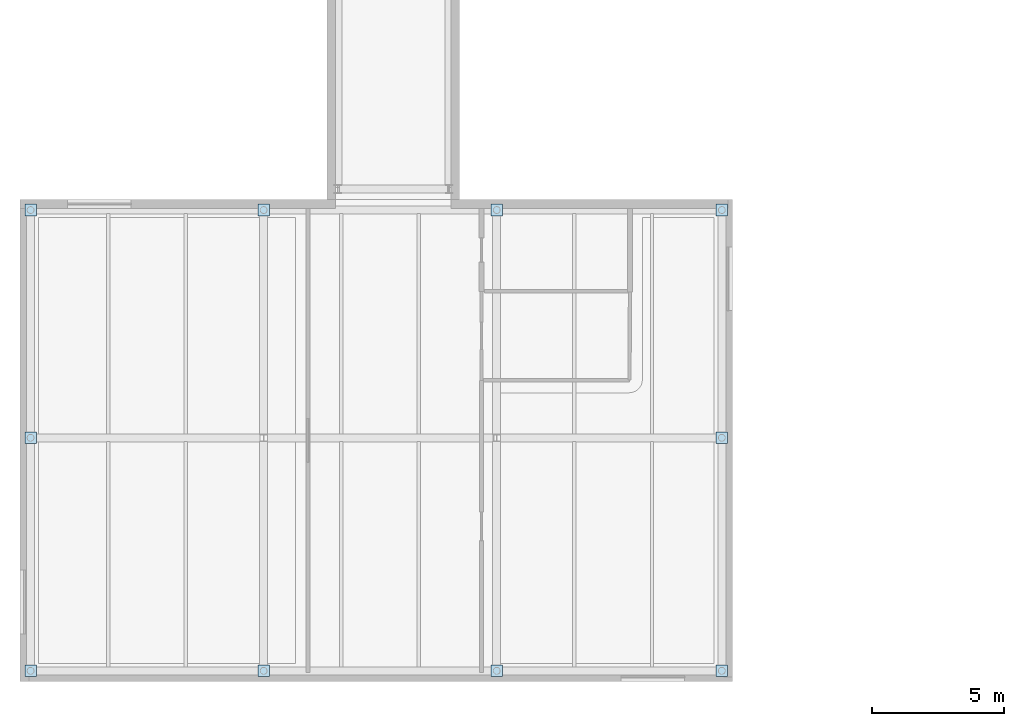
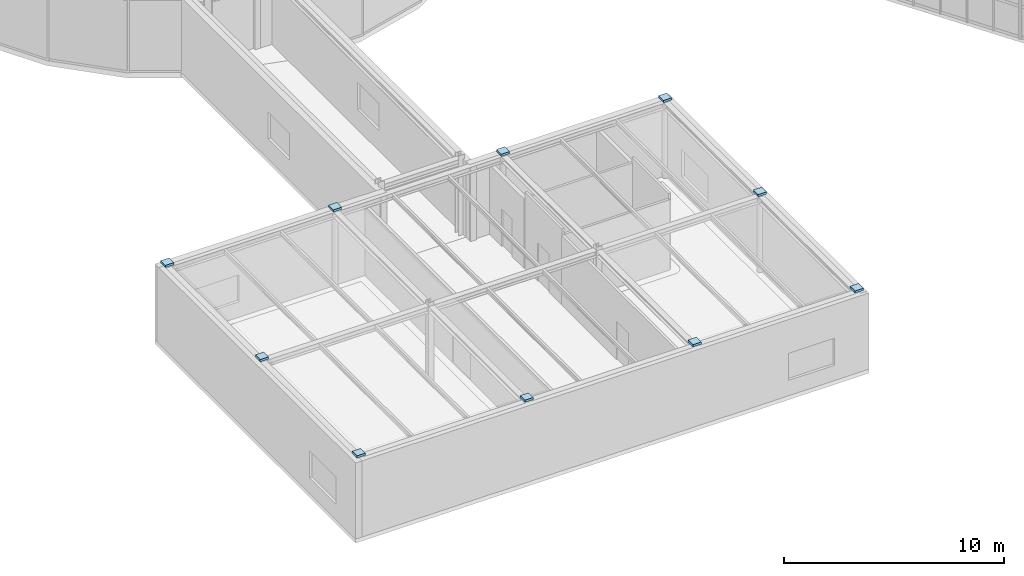
# One storey, part 69 of 103: 10 plates.
"""IFC4 building model written with IfcOpenShell, lengths in metres."""

import ifcopenshell
import ifcopenshell.guid

model = None  # the IFC model being written
_history = None  # IfcOwnerHistory: only IFC2X3 demands one
_inside = {}  # id of a spatial element -> (the spatial element, [elements in it])
_under = {}  # id of a project, library or spatial element -> (it, [spatial elements below it])
_declared = {}  # id of a project -> (the project, [libraries it declares])
_typed = {}  # id of a type object -> (the type object, [elements of that type])
_made_of = {}  # id of a material, layer set ... -> (it, [elements and type objects made of it])


def new_model(schema):
    """Start an empty IFC model of exactly this schema.

    Asked for "IFC4X3", IfcOpenShell would pick the latest addendum, in which some entities
    have other attributes; the version numbers below select the first issue.
    IFC2X3 requires an IfcOwnerHistory on every rooted entity: one is made here for all.
    """
    global model, _history
    if schema == "IFC4X3":
        model = ifcopenshell.file(schema_version=(4, 3, 0, 0))
    else:
        model = ifcopenshell.file(schema=schema)
    _inside.clear()
    _under.clear()
    _declared.clear()
    _typed.clear()
    _made_of.clear()
    _history = None
    if model.schema == "IFC2X3":
        org = make("IfcOrganization", Name="unknown")
        user = make(
            "IfcPersonAndOrganization",
            ThePerson=make("IfcPerson", FamilyName="unknown"),
            TheOrganization=org,
        )
        app = make(
            "IfcApplication",
            ApplicationDeveloper=org,
            Version="unknown",
            ApplicationFullName="unknown",
            ApplicationIdentifier="unknown",
        )
        _history = make(
            "IfcOwnerHistory",
            OwningUser=user,
            OwningApplication=app,
            ChangeAction="ADDED",
            CreationDate=0,
        )
    return model


def make(cls, **values):
    """One entity of the class cls with the attributes given. An attribute that is None is left unset."""
    return model.create_entity(
        cls, **{name: value for name, value in values.items() if value is not None}
    )


def rooted(cls, **values):
    """An entity with a GlobalId (a new one), such as an element, a storey or a relation."""
    return make(cls, GlobalId=ifcopenshell.guid.new(), OwnerHistory=_history, **values)


def si_unit(unit_type, name, prefix=None):
    """IfcSIUnit, for example si_unit("LENGTHUNIT", "METRE", prefix="MILLI")."""
    return make("IfcSIUnit", UnitType=unit_type, Prefix=prefix, Name=name)


def assignment(units):
    """IfcUnitAssignment: the units of a project."""
    return None if units is None else make("IfcUnitAssignment", Units=units)


def point(xyz):
    """IfcCartesianPoint."""
    return None if xyz is None else make("IfcCartesianPoint", Coordinates=xyz)


def direction(xyz):
    """IfcDirection."""
    return None if xyz is None else make("IfcDirection", DirectionRatios=xyz)


def frame(location, z_axis=None, x_axis=None):
    """IfcAxis2Placement3D, a coordinate frame: its origin and axes. An axis left out is left unset."""
    return make(
        "IfcAxis2Placement3D",
        Location=point(location),
        Axis=direction(z_axis),
        RefDirection=direction(x_axis),
    )


def frame_2d(location, x_axis=None):
    """IfcAxis2Placement2D, a coordinate frame in the plane: its origin and x axis."""
    return make(
        "IfcAxis2Placement2D", Location=point(location), RefDirection=direction(x_axis)
    )


def origin():
    """The frame at (0, 0, 0) with its axes left unset."""
    return frame((0.0, 0.0, 0.0))


def origin_2d():
    """The frame at (0, 0) in the plane with its x axis left unset."""
    return frame_2d((0.0, 0.0))


def place(relative_to, where):
    """IfcLocalPlacement: puts the frame where relative to a parent placement (None: the world)."""
    return make(
        "IfcLocalPlacement", PlacementRelTo=relative_to, RelativePlacement=where
    )


def context(
    kind, dimensions, precision=None, world=None, true_north=None, identifier=None
):
    """IfcGeometricRepresentationContext, for example the 3D "Model" context."""
    return make(
        "IfcGeometricRepresentationContext",
        ContextIdentifier=identifier,
        ContextType=kind,
        CoordinateSpaceDimension=dimensions,
        Precision=precision,
        WorldCoordinateSystem=world,
        TrueNorth=true_north,
    )


def subcontext(parent, identifier, kind, view, scale=None):
    """IfcGeometricRepresentationSubContext, for example "Body" below "Model"."""
    return make(
        "IfcGeometricRepresentationSubContext",
        ContextIdentifier=identifier,
        ContextType=kind,
        ParentContext=parent,
        TargetScale=scale,
        TargetView=view,
    )


def project(units=None, contexts=None):
    """IfcProject with its units and contexts."""
    return rooted(
        "IfcProject",
        Name="project",
        RepresentationContexts=contexts,
        UnitsInContext=assignment(units),
    )


def spatial(cls, under=None, at=None, **own):
    """A site, building, storey or space (cls), placed at a placement, below another one or the project."""
    s = rooted(cls, ObjectPlacement=at, **own)
    if under is not None:
        _under.setdefault(under.id(), (under, []))[1].append(s)
    return s


def profile(cls, at=None, kind="AREA", **sizes):
    """A parametric profile (cls). Its sizes go by their IFC names, for example OverallWidth=200.0."""
    return make(cls, ProfileType=kind, Position=at, **sizes)


def rectangle(**sizes):
    """IfcRectangleProfileDef."""
    return profile("IfcRectangleProfileDef", **sizes)


def extrude(swept, where, along, depth):
    """IfcExtrudedAreaSolid: the profile swept, set in the frame where, extruded along a direction by depth."""
    return make(
        "IfcExtrudedAreaSolid",
        SweptArea=swept,
        Position=where,
        ExtrudedDirection=direction(along),
        Depth=depth,
    )


def shape(context_of_items, identifier, shape_type, items):
    """IfcShapeRepresentation: the items that make up one representation, for example the "Body"."""
    return make(
        "IfcShapeRepresentation",
        ContextOfItems=context_of_items,
        RepresentationIdentifier=identifier,
        RepresentationType=shape_type,
        Items=items,
    )


def material(Name=None, Category=None):
    """IfcMaterial."""
    return make("IfcMaterial", Name=Name, Category=Category)


def layer(
    of_material, thickness, ventilated=None, Name=None, Category=None, Priority=None
):
    """IfcMaterialLayer: one layer of a wall or slab, of a material (None: an air gap)."""
    return make(
        "IfcMaterialLayer",
        Material=of_material,
        LayerThickness=thickness,
        IsVentilated=ventilated,
        Name=Name,
        Category=Category,
        Priority=Priority,
    )


def layer_set(layers, Name=None):
    """IfcMaterialLayerSet."""
    return make("IfcMaterialLayerSet", MaterialLayers=layers, LayerSetName=Name)


def made_of(thing, what):
    """Note that an element or type object is made of a material, layer set ...; save() writes the relation."""
    if what is not None:
        _made_of.setdefault(what.id(), (what, []))[1].append(thing)
    return thing


def type_object(cls, material=None, **own):
    """A type object (cls), such as IfcWallType, which elements share."""
    return made_of(rooted(cls, **own), material)


def element(
    cls,
    number,
    at=None,
    inside=None,
    cuts=None,
    type_object=None,
    material=None,
    context=None,
    identifier="Body",
    shape_type=None,
    held_by="IfcProductDefinitionShape",
    body=None,
    shapes=None,
    **own,
):
    """One element of the class cls, such as IfcWall. Its Tag is "e" and its number.

    at: its placement. inside: the storey or other place that contains it. cuts: it is an
    opening in that element (IfcRelVoidsElement). A single representation is given by context,
    identifier, shape_type and body (its items); several are given by shapes. held_by: the class
    of the entity that holds the representations. save() writes the other relations.
    """
    e = rooted(cls, Tag="e%d" % number, ObjectPlacement=at, **own)
    if body is not None:
        shapes = [shape(context, identifier, shape_type, body)]
    if shapes is not None:
        e.Representation = make(held_by, Representations=shapes)
    if inside is not None:
        _inside.setdefault(inside.id(), (inside, []))[1].append(e)
    if cuts is not None:
        rooted(
            "IfcRelVoidsElement", RelatingBuildingElement=cuts, RelatedOpeningElement=e
        )
    if type_object is not None:
        _typed.setdefault(type_object.id(), (type_object, []))[1].append(e)
    return made_of(e, material)


def aggregate(whole, parts):
    """IfcRelAggregates: a whole, such as a stair, and the parts it consists of."""
    return rooted("IfcRelAggregates", RelatingObject=whole, RelatedObjects=parts)


def save(model, path):
    """Write the relations noted so far, then the file.

    IfcRelAggregates (storeys below a building ...), IfcRelContainedInSpatialStructure (elements
    in a storey), IfcRelDefinesByType, IfcRelAssociatesMaterial and IfcRelDeclares: one each for
    every whole, place, type object, material and project.
    """
    for whole, parts in _under.values():
        aggregate(whole, parts)
    for where, things in _inside.values():
        rooted(
            "IfcRelContainedInSpatialStructure",
            RelatedElements=things,
            RelatingStructure=where,
        )
    for kind, things in _typed.values():
        rooted("IfcRelDefinesByType", RelatedObjects=things, RelatingType=kind)
    for what, things in _made_of.values():
        rooted("IfcRelAssociatesMaterial", RelatedObjects=things, RelatingMaterial=what)
    for by, libraries in _declared.values():
        rooted("IfcRelDeclares", RelatingContext=by, RelatedDefinitions=libraries)
    model.write(path)


model = new_model("IFC4")

# Units and contexts
model_context = context("Model", 3, precision=1e-05, world=origin(), true_north=direction((0.0, 1.0)))
body_context = subcontext(model_context, "Body", "Model", "MODEL_VIEW")
ifc_project = project(units=[si_unit("LENGTHUNIT", "METRE"), si_unit("AREAUNIT", "SQUARE_METRE"), si_unit("VOLUMEUNIT", "CUBIC_METRE"), si_unit("PLANEANGLEUNIT", "RADIAN"), si_unit("MASSUNIT", "GRAM", prefix="KILO")], contexts=[model_context])

# Site, building, storey
site_placement = place(None, origin())
site = spatial("IfcSite", under=ifc_project, at=site_placement, CompositionType="ELEMENT")
building_placement = place(site_placement, origin())
building = spatial("IfcBuilding", under=site, at=building_placement, Name="Varnklinge Art Gallery", CompositionType="ELEMENT")
storey_placement = place(building_placement, frame((0.0, 0.0, 5.10009765625)))
storey = spatial("IfcBuildingStorey", under=building, at=storey_placement, Name="L01", CompositionType="ELEMENT", Elevation=5.10009765625)

# Plates
ifc_material = material(Name="Steel S355", Category="steel")
ifc_layer = layer(ifc_material, 0.159912109375)
ifc_layer_set = layer_set([ifc_layer], Name="Steel S355")
plate_type = type_object("IfcPlateType", Name="PLT-GP2", PredefinedType="USERDEFINED", material=ifc_layer_set)
for number, where, z_axis, x_axis, name in (
    (1, (4.0, 3.800048828125, 4.31982421875), (0.0, 0.0, 1.0), (1.0, 0.0, 0.0), "L01 Hollow Column End Cap Plate V6SW-1-1"),
    (2, (4.0, 12.60009765625, 4.31982421875), (0.0, 0.0, 1.0), (1.0, 0.0, 0.0), "L01 Hollow Column End Cap Plate V6SW-1-2"),
    (3, (4.0, 21.199951171875, 4.31982421875), (0.0, 0.0, 1.0), (1.0, 0.0, 0.0), "L01 Hollow Column End Cap Plate V6SW-1-3"),
    (4, (12.800048828125, 3.800048828125, 4.31982421875), (0.0, 0.0, 1.0), (1.0, 0.0, 0.0), "L01 Hollow Column End Cap Plate V6SW-2-1"),
    (5, (12.800048828125, 21.199951171875, 4.31982421875), (0.0, 0.0, 1.0), (1.0, 0.0, 0.0), "L01 Hollow Column End Cap Plate V6SW-2-3"),
    (6, (21.60009765625, 3.800048828125, 4.31982421875), (0.0, 0.0, 1.0), (1.0, 0.0, 0.0), "L01 Hollow Column End Cap Plate V6SW-3-1"),
    (7, (21.60009765625, 21.199951171875, 4.31982421875), (0.0, 0.0, 1.0), (1.0, 0.0, 0.0), "L01 Hollow Column End Cap Plate V6SW-3-3"),
    (8, (30.10009765625, 3.800048828125, 4.31982421875), (0.0, 0.0, 1.0), (1.0, 0.0, 0.0), "L01 Hollow Column End Cap Plate V6SW-4-1"),
    (9, (30.10009765625, 12.60009765625, 4.31982421875), (0.0, 0.0, 1.0), (1.0, 0.0, 0.0), "L01 Hollow Column End Cap Plate V6SW-4-2"),
    (10, (30.10009765625, 21.199951171875, 4.31982421875), (0.0, 0.0, 1.0), (1.0, 0.0, 0.0), "L01 Hollow Column End Cap Plate V6SW-4-3"),
):
    element("IfcPlate", number, at=place(storey_placement, frame(where, z_axis=z_axis, x_axis=x_axis)), inside=storey, type_object=plate_type, Name=name, ObjectType="GUSSET PLATE", PredefinedType="USERDEFINED", context=body_context, shape_type="SweptSolid", body=[
        extrude(rectangle(XDim=0.43994140625, YDim=0.43994140625, at=origin_2d()), origin(), (0.0, 0.0, 1.0), 0.1201171875),
    ])

save(model, "model.ifc")
